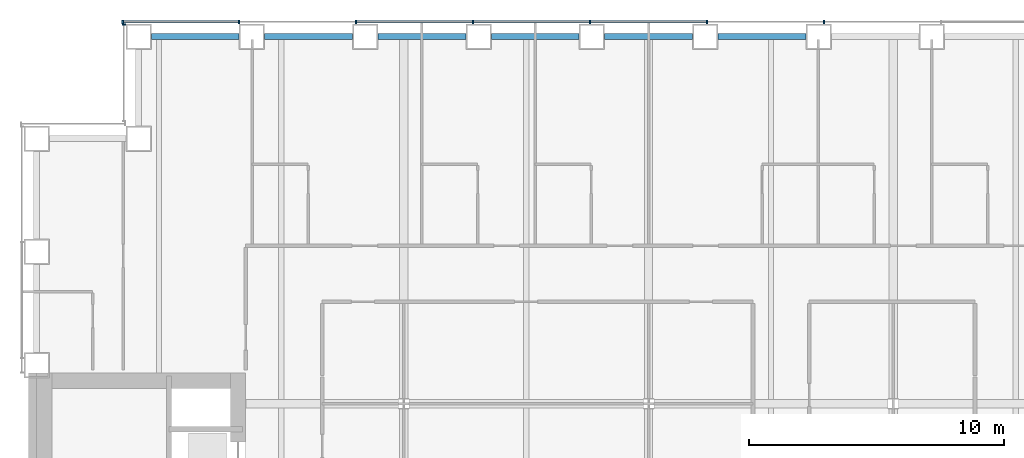
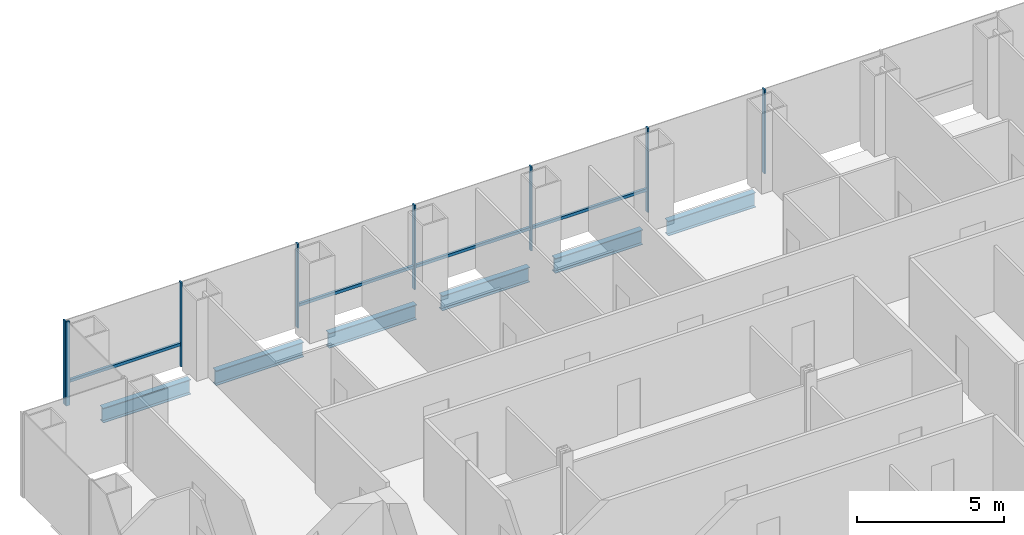
# One storey, part 9 of 23: 12 members, 6 beams, 2 elements without a shape of their own.
"""IFC4 building model written with IfcOpenShell, lengths in metres."""

from ifc_helpers import new_model, si_unit, direction, frame, origin, origin_2d, place, context, subcontext, project, spatial, rectangle, i_section, extrude, material, material_profile, profile_set, type_object, element, aggregate, save


model = new_model("IFC4")

# Units and contexts
model_context = context("Model", 3, precision=1e-05, world=origin(), true_north=direction((0.0, 1.0)))
body_context = subcontext(model_context, "Body", "Model", "MODEL_VIEW")
ifc_project = project(units=[si_unit("LENGTHUNIT", "METRE"), si_unit("AREAUNIT", "SQUARE_METRE"), si_unit("VOLUMEUNIT", "CUBIC_METRE"), si_unit("PLANEANGLEUNIT", "RADIAN"), si_unit("MASSUNIT", "GRAM", prefix="KILO")], contexts=[model_context])

# Site, building, storey
site_placement = place(None, origin())
site = spatial("IfcSite", under=ifc_project, at=site_placement, CompositionType="ELEMENT")
building_placement = place(site_placement, origin())
building = spatial("IfcBuilding", under=site, at=building_placement, Name="Cobrizo Arcos Hotel Tower", CompositionType="ELEMENT")
storey_placement = place(building_placement, frame((0.0, 0.0, 49.5)))
storey = spatial("IfcBuildingStorey", under=building, at=storey_placement, Name="L10", CompositionType="ELEMENT", Elevation=49.5)

# Curtain wall, members
ifc_material_1 = material(Name="Aluminium 6063-T6 anodised bronze", Category="aluminium")
curtain_wall_type = type_object("IfcCurtainWallType", Name="CW-A guest facade", PredefinedType="NOTDEFINED", material=ifc_material_1)
curtain_wall_1_placement = place(storey_placement, origin())
curtain_wall_1 = element("IfcCurtainWall", 1, at=curtain_wall_1_placement, inside=storey, type_object=curtain_wall_type, Name="CW-A L10 N face", PredefinedType="NOTDEFINED")
ifc_material_profile_1 = material_profile(ifc_material_1, rectangle(XDim=0.14990234375, YDim=0.06005859375, at=origin_2d()), Name="CW-A mullion 150x60")
ifc_profile_set_1 = profile_set([ifc_material_profile_1], Name="Aluminium 6063-T6 anodised bronze")
member_type_1 = type_object("IfcMemberType", Name="CW-A mullion 150x60", PredefinedType="MULLION", material=ifc_profile_set_1)
member_1_placement = place(storey_placement, frame((6.88330078125, 24.574951171875, 0.0), z_axis=(0.0, 0.0, 1.0), x_axis=(0.0, 1.0, 0.0)))
member_1 = element("IfcMember", 2, at=member_1_placement, type_object=member_type_1, Name="CW-A mullion 4", PredefinedType="MULLION", context=body_context, shape_type="SweptSolid", body=[
    extrude(rectangle(XDim=0.14990234375, YDim=0.06005859375, at=origin_2d()), origin(), (0.0, 0.0, 1.0), 3.5),
])
member_2_placement = place(storey_placement, frame((2.29443359375, 24.574951171875, 0.0), z_axis=(0.0, 0.0, 1.0), x_axis=(0.0, 1.0, 0.0)))
member_2 = element("IfcMember", 3, at=member_2_placement, type_object=member_type_1, Name="CW-A mullion 5", PredefinedType="MULLION", context=body_context, shape_type="SweptSolid", body=[
    extrude(rectangle(XDim=0.14990234375, YDim=0.06005859375, at=origin_2d()), origin(), (0.0, 0.0, 1.0), 3.5),
])
member_3_placement = place(storey_placement, frame((-2.29443359375, 24.574951171875, 0.0), z_axis=(0.0, 0.0, 1.0), x_axis=(0.0, 1.0, 0.0)))
member_3 = element("IfcMember", 4, at=member_3_placement, type_object=member_type_1, Name="CW-A mullion 6", PredefinedType="MULLION", context=body_context, shape_type="SweptSolid", body=[
    extrude(rectangle(XDim=0.14990234375, YDim=0.06005859375, at=origin_2d()), origin(), (0.0, 0.0, 1.0), 3.5),
])
member_4_placement = place(storey_placement, frame((-6.88330078125, 24.574951171875, 0.0), z_axis=(0.0, 0.0, 1.0), x_axis=(0.0, 1.0, 0.0)))
member_4 = element("IfcMember", 5, at=member_4_placement, type_object=member_type_1, Name="CW-A mullion 7", PredefinedType="MULLION", context=body_context, shape_type="SweptSolid", body=[
    extrude(rectangle(XDim=0.14990234375, YDim=0.06005859375, at=origin_2d()), origin(), (0.0, 0.0, 1.0), 3.5),
])
member_5_placement = place(storey_placement, frame((-11.47216796875, 24.574951171875, 0.0), z_axis=(0.0, 0.0, 1.0), x_axis=(0.0, 1.0, 0.0)))
member_5 = element("IfcMember", 6, at=member_5_placement, type_object=member_type_1, Name="CW-A mullion 8", PredefinedType="MULLION", context=body_context, shape_type="SweptSolid", body=[
    extrude(rectangle(XDim=0.14990234375, YDim=0.06005859375, at=origin_2d()), origin(), (0.0, 0.0, 1.0), 3.5),
])
member_6_placement = place(storey_placement, frame((-16.06103515625, 24.574951171875, 0.0), z_axis=(0.0, 0.0, 1.0), x_axis=(0.0, 1.0, 0.0)))
member_6 = element("IfcMember", 7, at=member_6_placement, type_object=member_type_1, Name="CW-A mullion 9", PredefinedType="MULLION", context=body_context, shape_type="SweptSolid", body=[
    extrude(rectangle(XDim=0.14990234375, YDim=0.06005859375, at=origin_2d()), origin(), (0.0, 0.0, 1.0), 3.5),
])
member_7_placement = place(storey_placement, frame((-20.6201171875, 24.574951171875, 0.0), z_axis=(0.0, 0.0, 1.0), x_axis=(0.0, 1.0, 0.0)))
member_7 = element("IfcMember", 8, at=member_7_placement, type_object=member_type_1, Name="CW-A mullion 10", PredefinedType="MULLION", context=body_context, shape_type="SweptSolid", body=[
    extrude(rectangle(XDim=0.14990234375, YDim=0.06005859375, at=origin_2d()), origin(), (0.0, 0.0, 1.0), 3.5),
])

# Curtain wall, member
curtain_wall_2_placement = place(storey_placement, origin())
curtain_wall_2 = element("IfcCurtainWall", 9, at=curtain_wall_2_placement, inside=storey, type_object=curtain_wall_type, Name="CW-A L10 W face", PredefinedType="NOTDEFINED")
member_8_placement = place(storey_placement, frame((-20.574951171875, 24.469970703125, 0.0), z_axis=(0.0, 0.0, 1.0), x_axis=(-1.0, 0.0, 0.0)))
member_8 = element("IfcMember", 10, at=member_8_placement, type_object=member_type_1, Name="CW-A mullion 1", PredefinedType="MULLION", context=body_context, shape_type="SweptSolid", body=[
    extrude(rectangle(XDim=0.14990234375, YDim=0.06005859375, at=origin_2d()), origin(), (0.0, 0.0, 1.0), 3.5),
])
aggregate(curtain_wall_2, [member_8])

# Member
ifc_material_profile_2 = material_profile(ifc_material_1, rectangle(XDim=0.10009765625, YDim=0.1201171875, at=origin_2d()), Name="CW-A transom 120x100")
ifc_profile_set_2 = profile_set([ifc_material_profile_2], Name="Aluminium 6063-T6 anodised bronze")
member_type_2 = type_object("IfcMemberType", Name="CW-A transom 120x100", PredefinedType="USERDEFINED", material=ifc_profile_set_2)
member_9_placement = place(storey_placement, frame((2.264404296875, 24.574951171875, 0.929931640625), z_axis=(-1.0, 0.0, 0.0), x_axis=(0.0, -1.0, 0.0)))
member_9 = element("IfcMember", 11, at=member_9_placement, type_object=member_type_2, Name="CW-A transom 498", ObjectType="TRANSOM", PredefinedType="USERDEFINED", context=body_context, shape_type="SweptSolid", body=[
    extrude(rectangle(XDim=0.10009765625, YDim=0.1201171875, at=origin_2d()), origin(), (0.0, 0.0, 1.0), 4.52880859375),
])

member_10_placement = place(storey_placement, frame((-2.324462890625, 24.574951171875, 0.929931640625), z_axis=(-1.0, 0.0, 0.0), x_axis=(0.0, -1.0, 0.0)))
member_10 = element("IfcMember", 12, at=member_10_placement, type_object=member_type_2, Name="CW-A transom 499", ObjectType="TRANSOM", PredefinedType="USERDEFINED", context=body_context, shape_type="SweptSolid", body=[
    extrude(rectangle(XDim=0.10009765625, YDim=0.1201171875, at=origin_2d()), origin(), (0.0, 0.0, 1.0), 4.52880859375),
])

member_11_placement = place(storey_placement, frame((-6.913330078125, 24.574951171875, 0.929931640625), z_axis=(-1.0, 0.0, 0.0), x_axis=(0.0, -1.0, 0.0)))
member_11 = element("IfcMember", 13, at=member_11_placement, type_object=member_type_2, Name="CW-A transom 500", ObjectType="TRANSOM", PredefinedType="USERDEFINED", context=body_context, shape_type="SweptSolid", body=[
    extrude(rectangle(XDim=0.10009765625, YDim=0.1201171875, at=origin_2d()), origin(), (0.0, 0.0, 1.0), 4.52880859375),
])

member_12_placement = place(storey_placement, frame((-16.091064453125, 24.574951171875, 0.929931640625), z_axis=(-1.0, 0.0, 0.0), x_axis=(0.0, -1.0, 0.0)))
member_12 = element("IfcMember", 14, at=member_12_placement, type_object=member_type_2, Name="CW-A transom 502", ObjectType="TRANSOM", PredefinedType="USERDEFINED", context=body_context, shape_type="SweptSolid", body=[
    extrude(rectangle(XDim=0.10009765625, YDim=0.1201171875, at=origin_2d()), origin(), (0.0, 0.0, 1.0), 4.4990234375),
])

aggregate(curtain_wall_1, [member_1, member_2, member_3, member_4, member_5, member_6, member_7, member_9, member_10, member_11, member_12])

# Beams
ifc_material_2 = material(Name="Steel ASTM A992 Grade 50", Category="steel")
ifc_material_profile_3 = material_profile(ifc_material_2, i_section(OverallWidth=0.23046875, OverallDepth=0.6171875, WebThickness=0.01318359375, FlangeThickness=0.022216796875, at=origin_2d()), Name="W24X94")
ifc_profile_set_3 = profile_set([ifc_material_profile_3], Name="Steel ASTM A992 Grade 50")
beam_type = type_object("IfcBeamType", Name="W24X94 spandrel", PredefinedType="SPANDREL", material=ifc_profile_set_3)
beam_1_placement = place(storey_placement, frame((6.1669921875, 24.0, -0.45849609375), z_axis=(-1.0, 0.0, 0.0), x_axis=(0.0, -1.0, 0.0)))
element("IfcBeam", 15, at=beam_1_placement, inside=storey, type_object=beam_type, Name="Spandrel beam W24X94, L10, no. 021", PredefinedType="SPANDREL", context=body_context, shape_type="SweptSolid", body=[
    extrude(i_section(OverallWidth=0.23046875, OverallDepth=0.6171875, WebThickness=0.01318359375, FlangeThickness=0.022216796875, at=origin_2d()), origin(), (0.0, 0.0, 1.0), 3.445068359375),
])
beam_2_placement = place(storey_placement, frame((1.721923828125, 24.0, -0.45849609375), z_axis=(-1.0, 0.0, 0.0), x_axis=(0.0, -1.0, 0.0)))
element("IfcBeam", 16, at=beam_2_placement, inside=storey, type_object=beam_type, Name="Spandrel beam W24X94, L10, no. 022", PredefinedType="SPANDREL", context=body_context, shape_type="SweptSolid", body=[
    extrude(i_section(OverallWidth=0.23046875, OverallDepth=0.6171875, WebThickness=0.01318359375, FlangeThickness=0.022216796875, at=origin_2d()), origin(), (0.0, 0.0, 1.0), 3.44384765625),
])
beam_3_placement = place(storey_placement, frame((-2.721923828125, 24.0, -0.45849609375), z_axis=(-1.0, 0.0, 0.0), x_axis=(0.0, -1.0, 0.0)))
element("IfcBeam", 17, at=beam_3_placement, inside=storey, type_object=beam_type, Name="Spandrel beam W24X94, L10, no. 023", PredefinedType="SPANDREL", context=body_context, shape_type="SweptSolid", body=[
    extrude(i_section(OverallWidth=0.23046875, OverallDepth=0.6171875, WebThickness=0.01318359375, FlangeThickness=0.022216796875, at=origin_2d()), origin(), (0.0, 0.0, 1.0), 3.445068359375),
])
beam_4_placement = place(storey_placement, frame((-7.1669921875, 24.0, -0.45849609375), z_axis=(-1.0, 0.0, 0.0), x_axis=(0.0, -1.0, 0.0)))
element("IfcBeam", 18, at=beam_4_placement, inside=storey, type_object=beam_type, Name="Spandrel beam W24X94, L10, no. 024", PredefinedType="SPANDREL", context=body_context, shape_type="SweptSolid", body=[
    extrude(i_section(OverallWidth=0.23046875, OverallDepth=0.6171875, WebThickness=0.01318359375, FlangeThickness=0.022216796875, at=origin_2d()), origin(), (0.0, 0.0, 1.0), 3.444091796875),
])
beam_5_placement = place(storey_placement, frame((-11.611083984375, 24.0, -0.45849609375), z_axis=(-1.0, 0.0, 0.0), x_axis=(0.0, -1.0, 0.0)))
element("IfcBeam", 19, at=beam_5_placement, inside=storey, type_object=beam_type, Name="Spandrel beam W24X94, L10, no. 025", PredefinedType="SPANDREL", context=body_context, shape_type="SweptSolid", body=[
    extrude(i_section(OverallWidth=0.23046875, OverallDepth=0.6171875, WebThickness=0.01318359375, FlangeThickness=0.022216796875, at=origin_2d()), origin(), (0.0, 0.0, 1.0), 3.44482421875),
])
beam_6_placement = place(storey_placement, frame((-16.055908203125, 24.0, -0.45849609375), z_axis=(-1.0, 0.0, 0.0), x_axis=(0.0, -1.0, 0.0)))
element("IfcBeam", 20, at=beam_6_placement, inside=storey, type_object=beam_type, Name="Spandrel beam W24X94, L10, no. 026", PredefinedType="SPANDREL", context=body_context, shape_type="SweptSolid", body=[
    extrude(i_section(OverallWidth=0.23046875, OverallDepth=0.6171875, WebThickness=0.01318359375, FlangeThickness=0.022216796875, at=origin_2d()), origin(), (0.0, 0.0, 1.0), 3.444091796875),
])

save(model, "model.ifc")
